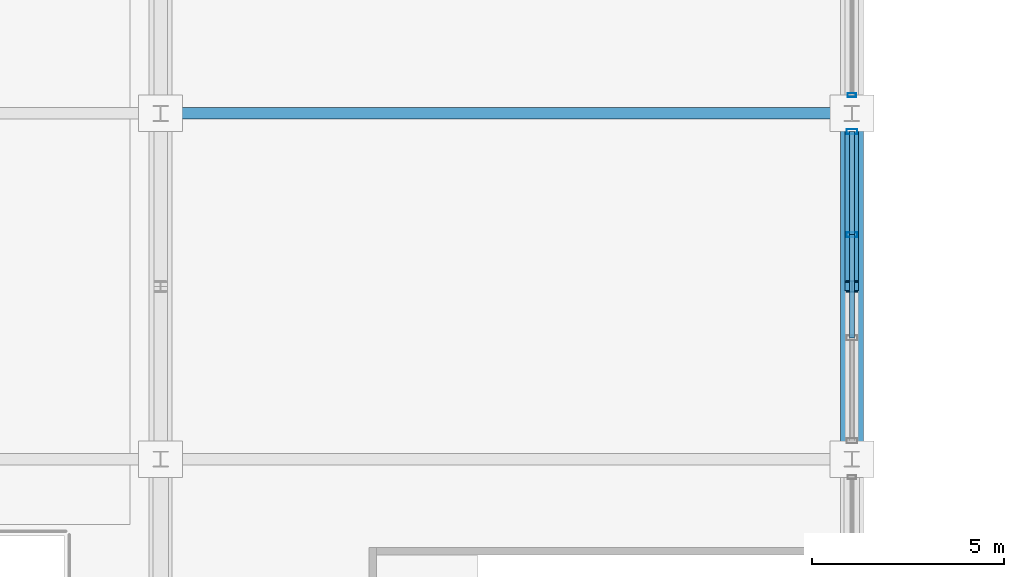
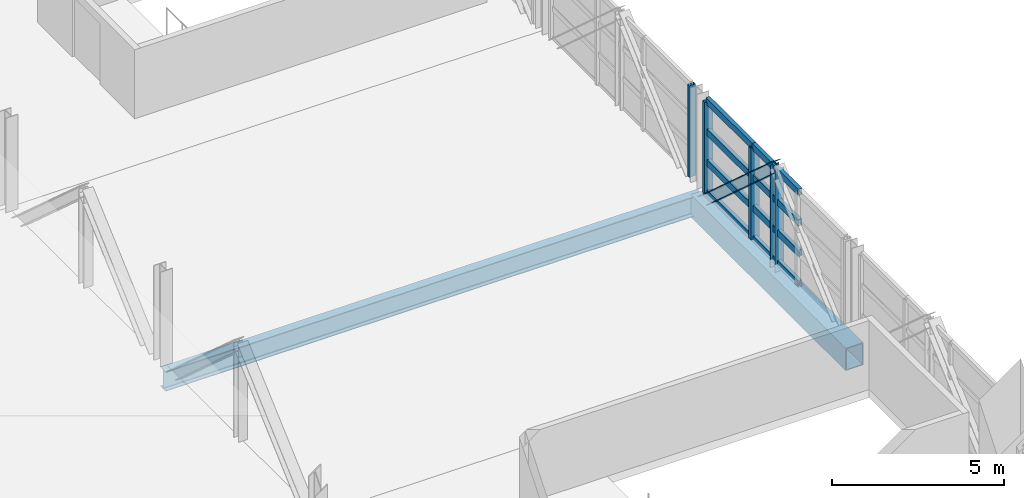
# One storey, part 44 of 136: 13 members, 2 beams, 2 elements without a shape of their own.
"""IFC4 building model written with IfcOpenShell, lengths in metres."""

from ifc_helpers import new_model, si_unit, direction, frame, origin, origin_2d, place, context, subcontext, project, spatial, hollow_rectangle, i_section, extrude, material, material_profile, profile_set, type_object, element, aggregate, save


model = new_model("IFC4")

# Units and contexts
model_context = context("Model", 3, precision=1e-05, world=origin(), true_north=direction((0.0, 1.0)))
body_context = subcontext(model_context, "Body", "Model", "MODEL_VIEW")
ifc_project = project(units=[si_unit("LENGTHUNIT", "METRE"), si_unit("AREAUNIT", "SQUARE_METRE"), si_unit("VOLUMEUNIT", "CUBIC_METRE"), si_unit("PLANEANGLEUNIT", "RADIAN"), si_unit("MASSUNIT", "GRAM", prefix="KILO")], contexts=[model_context])

# Site, building, storey
site_placement = place(None, origin())
site = spatial("IfcSite", under=ifc_project, at=site_placement, CompositionType="ELEMENT")
building_placement = place(site_placement, origin())
building = spatial("IfcBuilding", under=site, at=building_placement, Name="Chuanluo Vaults Station", CompositionType="ELEMENT")
storey_placement = place(building_placement, frame((0.0, 0.0, 6.60009765625)))
storey = spatial("IfcBuildingStorey", under=building, at=storey_placement, Name="L01", CompositionType="ELEMENT", Elevation=6.60009765625)

# Beams
ifc_material_1 = material(Name="Steel Q355C", Category="steel")
ifc_material_profile_1 = material_profile(ifc_material_1, i_section(OverallWidth=0.300048828125, OverallDepth=0.699951171875, WebThickness=0.012939453125, FlangeThickness=0.02392578125, FilletRadius=0.02197265625, at=origin_2d()))
ifc_profile_set_1 = profile_set([ifc_material_profile_1], Name="Steel Q355C")
beam_type_1 = type_object("IfcBeamType", Name="BM-GRD-700", PredefinedType="USERDEFINED", material=ifc_profile_set_1)
beam_1_placement = place(storey_placement, frame((90.0, 85.5, -0.630126953125), z_axis=(1.0, 0.0, 0.0), x_axis=(0.0, 1.0, 0.0)))
element("IfcBeam", 1, at=beam_1_placement, inside=storey, type_object=beam_type_1, Name="Over-track concourse floor girder 6-85", ObjectType="GIRDER", PredefinedType="USERDEFINED", context=body_context, shape_type="SweptSolid", body=[
    extrude(i_section(OverallWidth=0.300048828125, OverallDepth=0.699951171875, WebThickness=0.012939453125, FlangeThickness=0.02392578125, FilletRadius=0.02197265625, at=origin_2d()), origin(), (0.0, 0.0, 1.0), 18.0),
])
ifc_material_2 = material(Name="Steel Q390C", Category="steel")
ifc_material_profile_2 = material_profile(ifc_material_2, hollow_rectangle(XDim=0.60009765625, YDim=0.800048828125, WallThickness=0.031982421875, at=origin_2d()))
ifc_profile_set_2 = profile_set([ifc_material_profile_2], Name="Steel Q390C")
beam_type_2 = type_object("IfcBeamType", Name="BM-TT-BOT", PredefinedType="USERDEFINED", material=ifc_profile_set_2)
beam_2_placement = place(storey_placement, frame((108.0, 76.5, -0.68017578125), z_axis=(0.0, 1.0, 0.0), x_axis=(-1.0, 0.0, 0.0)))
element("IfcBeam", 2, at=beam_2_placement, inside=storey, type_object=beam_type_2, Name="Transfer truss TT-7 bottom chord 2", ObjectType="GIRDER", PredefinedType="USERDEFINED", context=body_context, shape_type="SweptSolid", body=[
    extrude(hollow_rectangle(XDim=0.60009765625, YDim=0.800048828125, WallThickness=0.031982421875, at=origin_2d()), origin(), (0.0, 0.0, 1.0), 9.0),
])

# Curtain wall, member
ifc_material_3 = material(Name="Anodised aluminium 6063-T6", Category="aluminium")
curtain_wall_type_1 = type_object("IfcCurtainWallType", Name="CW-SYS-28", PredefinedType="NOTDEFINED", material=ifc_material_3)
curtain_wall_1_placement = place(storey_placement, origin())
curtain_wall_1 = element("IfcCurtainWall", 3, at=curtain_wall_1_placement, inside=storey, type_object=curtain_wall_type_1, Name="Over-track east hall CW 85", PredefinedType="NOTDEFINED")
ifc_material_4 = material(Name="Anodised aluminium 6063-T6", Category="aluminium")
ifc_material_profile_3 = material_profile(ifc_material_4, hollow_rectangle(XDim=0.10498046875, YDim=0.219970703125, WallThickness=0.006103515625, at=origin_2d()))
ifc_profile_set_3 = profile_set([ifc_material_profile_3], Name="Anodised aluminium 6063-T6")
member_type_1 = type_object("IfcMemberType", Name="CWM-140", PredefinedType="MULLION", material=ifc_profile_set_3)
member_1_placement = place(storey_placement, frame((108.0, 85.97509765625, 0.0), z_axis=(0.0, 0.0, 1.0), x_axis=(0.0, -1.0, 0.0)))
member_1 = element("IfcMember", 4, at=member_1_placement, type_object=member_type_1, Name="Over-track east hall CW 85 mullion 4", PredefinedType="MULLION", context=body_context, shape_type="SweptSolid", body=[
    extrude(hollow_rectangle(XDim=0.10498046875, YDim=0.219970703125, WallThickness=0.006103515625, at=origin_2d()), origin(), (0.0, 0.0, 1.0), 3.25),
])
aggregate(curtain_wall_1, [member_1])

# Curtain wall, members
ifc_material_5 = material(Name="Anodised aluminium 6063-T6", Category="aluminium")
curtain_wall_type_2 = type_object("IfcCurtainWallType", Name="CW-SYS-26", PredefinedType="NOTDEFINED", material=ifc_material_5)
curtain_wall_2_placement = place(storey_placement, origin())
curtain_wall_2 = element("IfcCurtainWall", 5, at=curtain_wall_2_placement, inside=storey, type_object=curtain_wall_type_2, Name="Over-track east hall CW 76", PredefinedType="NOTDEFINED")
ifc_material_6 = material(Name="Anodised aluminium 6063-T6", Category="aluminium")
ifc_material_profile_4 = material_profile(ifc_material_6, hollow_rectangle(XDim=0.1298828125, YDim=0.280029296875, WallThickness=0.007080078125, at=origin_2d()))
ifc_profile_set_4 = profile_set([ifc_material_profile_4], Name="Anodised aluminium 6063-T6")
member_type_2 = type_object("IfcMemberType", Name="CWM-180", PredefinedType="MULLION", material=ifc_profile_set_4)
member_2_placement = place(storey_placement, frame((108.0, 85.02490234375, 0.0), z_axis=(0.0, 0.0, 1.0), x_axis=(0.0, -1.0, 0.0)))
member_2 = element("IfcMember", 6, at=member_2_placement, type_object=member_type_2, Name="Over-track east hall CW 76 mullion 1", PredefinedType="MULLION", context=body_context, shape_type="SweptSolid", body=[
    extrude(hollow_rectangle(XDim=0.1298828125, YDim=0.280029296875, WallThickness=0.007080078125, at=origin_2d()), origin(), (0.0, 0.0, 1.0), 3.25),
])
member_3_placement = place(storey_placement, frame((108.0, 82.341796875, 0.0), z_axis=(0.0, 0.0, 1.0), x_axis=(0.0, -1.0, 0.0)))
member_3 = element("IfcMember", 7, at=member_3_placement, type_object=member_type_2, Name="Over-track east hall CW 76 mullion 2", PredefinedType="MULLION", context=body_context, shape_type="SweptSolid", body=[
    extrude(hollow_rectangle(XDim=0.1298828125, YDim=0.280029296875, WallThickness=0.007080078125, at=origin_2d()), origin(), (0.0, 0.0, 1.0), 3.25),
])
ifc_material_7 = material(Name="Anodised aluminium 6063-T6", Category="aluminium")
ifc_material_profile_5 = material_profile(ifc_material_7, hollow_rectangle(XDim=0.1298828125, YDim=0.22998046875, WallThickness=0.006103515625, at=origin_2d()))
ifc_profile_set_5 = profile_set([ifc_material_profile_5], Name="Anodised aluminium 6063-T6")
member_type_3 = type_object("IfcMemberType", Name="CWT-150", PredefinedType="USERDEFINED", material=ifc_profile_set_5)
member_4_placement = place(storey_placement, frame((108.0, 85.02490234375, 0.0), z_axis=(0.0, -1.0, 0.0), x_axis=(1.0, 0.0, 0.0)))
member_4 = element("IfcMember", 8, at=member_4_placement, type_object=member_type_3, Name="Over-track east hall CW 76 transom 1.1", ObjectType="TRANSOM", PredefinedType="USERDEFINED", context=body_context, shape_type="SweptSolid", body=[
    extrude(hollow_rectangle(XDim=0.1298828125, YDim=0.22998046875, WallThickness=0.006103515625, at=origin_2d()), origin(), (0.0, 0.0, 1.0), 2.68310546875),
])
member_5_placement = place(storey_placement, frame((108.0, 85.02490234375, 1.083251953125), z_axis=(0.0, -1.0, 0.0), x_axis=(1.0, 0.0, 0.0)))
member_5 = element("IfcMember", 9, at=member_5_placement, type_object=member_type_3, Name="Over-track east hall CW 76 transom 1.2", ObjectType="TRANSOM", PredefinedType="USERDEFINED", context=body_context, shape_type="SweptSolid", body=[
    extrude(hollow_rectangle(XDim=0.1298828125, YDim=0.22998046875, WallThickness=0.006103515625, at=origin_2d()), origin(), (0.0, 0.0, 1.0), 2.68310546875),
])
member_6_placement = place(storey_placement, frame((108.0, 85.02490234375, 2.16650390625), z_axis=(0.0, -1.0, 0.0), x_axis=(1.0, 0.0, 0.0)))
member_6 = element("IfcMember", 10, at=member_6_placement, type_object=member_type_3, Name="Over-track east hall CW 76 transom 1.3", ObjectType="TRANSOM", PredefinedType="USERDEFINED", context=body_context, shape_type="SweptSolid", body=[
    extrude(hollow_rectangle(XDim=0.1298828125, YDim=0.22998046875, WallThickness=0.006103515625, at=origin_2d()), origin(), (0.0, 0.0, 1.0), 2.68310546875),
])
member_7_placement = place(storey_placement, frame((108.0, 85.02490234375, 3.25), z_axis=(0.0, -1.0, 0.0), x_axis=(1.0, 0.0, 0.0)))
member_7 = element("IfcMember", 11, at=member_7_placement, type_object=member_type_3, Name="Over-track east hall CW 76 transom 1.4", ObjectType="TRANSOM", PredefinedType="USERDEFINED", context=body_context, shape_type="SweptSolid", body=[
    extrude(hollow_rectangle(XDim=0.1298828125, YDim=0.22998046875, WallThickness=0.006103515625, at=origin_2d()), origin(), (0.0, 0.0, 1.0), 2.68310546875),
])
member_8_placement = place(storey_placement, frame((108.0, 82.341796875, 0.0), z_axis=(0.0, -1.0, 0.0), x_axis=(1.0, 0.0, 0.0)))
member_8 = element("IfcMember", 12, at=member_8_placement, type_object=member_type_3, Name="Over-track east hall CW 76 transom 2.1", ObjectType="TRANSOM", PredefinedType="USERDEFINED", context=body_context, shape_type="SweptSolid", body=[
    extrude(hollow_rectangle(XDim=0.1298828125, YDim=0.22998046875, WallThickness=0.006103515625, at=origin_2d()), origin(), (0.0, 0.0, 1.0), 2.68359375),
])
member_9_placement = place(storey_placement, frame((108.0, 82.341796875, 1.083251953125), z_axis=(0.0, -1.0, 0.0), x_axis=(1.0, 0.0, 0.0)))
member_9 = element("IfcMember", 13, at=member_9_placement, type_object=member_type_3, Name="Over-track east hall CW 76 transom 2.2", ObjectType="TRANSOM", PredefinedType="USERDEFINED", context=body_context, shape_type="SweptSolid", body=[
    extrude(hollow_rectangle(XDim=0.1298828125, YDim=0.22998046875, WallThickness=0.006103515625, at=origin_2d()), origin(), (0.0, 0.0, 1.0), 2.68359375),
])
member_10_placement = place(storey_placement, frame((108.0, 82.341796875, 2.16650390625), z_axis=(0.0, -1.0, 0.0), x_axis=(1.0, 0.0, 0.0)))
member_10 = element("IfcMember", 14, at=member_10_placement, type_object=member_type_3, Name="Over-track east hall CW 76 transom 2.3", ObjectType="TRANSOM", PredefinedType="USERDEFINED", context=body_context, shape_type="SweptSolid", body=[
    extrude(hollow_rectangle(XDim=0.1298828125, YDim=0.22998046875, WallThickness=0.006103515625, at=origin_2d()), origin(), (0.0, 0.0, 1.0), 2.68359375),
])
member_11_placement = place(storey_placement, frame((108.0, 82.341796875, 3.25), z_axis=(0.0, -1.0, 0.0), x_axis=(1.0, 0.0, 0.0)))
member_11 = element("IfcMember", 15, at=member_11_placement, type_object=member_type_3, Name="Over-track east hall CW 76 transom 2.4", ObjectType="TRANSOM", PredefinedType="USERDEFINED", context=body_context, shape_type="SweptSolid", body=[
    extrude(hollow_rectangle(XDim=0.1298828125, YDim=0.22998046875, WallThickness=0.006103515625, at=origin_2d()), origin(), (0.0, 0.0, 1.0), 2.68359375),
])
aggregate(curtain_wall_2, [member_2, member_3, member_4, member_5, member_6, member_7, member_8, member_9, member_10, member_11])

# Members
ifc_material_8 = material(Name="Steel Q390C", Category="steel")
ifc_material_profile_6 = material_profile(ifc_material_8, i_section(OverallWidth=0.35009765625, OverallDepth=0.35009765625, WebThickness=0.011962890625, FlangeThickness=0.01904296875, FilletRadius=0.02001953125, at=origin_2d()))
ifc_profile_set_6 = profile_set([ifc_material_profile_6], Name="Steel Q390C")
member_type_4 = type_object("IfcMemberType", Name="MEM-DIAG-350", PredefinedType="BRACE", material=ifc_profile_set_6)
member_12_placement = place(storey_placement, frame((108.0, 81.0, 3.349853515625), z_axis=(0.0, 0.744935757439, -0.667136205949), x_axis=(-1.0, 0.0, 0.0)))
element("IfcMember", 16, at=member_12_placement, inside=storey, type_object=member_type_4, Name="Transfer truss TT-7 diagonal 2B", PredefinedType="BRACE", context=body_context, shape_type="SweptSolid", body=[
    extrude(i_section(OverallWidth=0.35009765625, OverallDepth=0.35009765625, WebThickness=0.011962890625, FlangeThickness=0.01904296875, FilletRadius=0.02001953125, at=origin_2d()), origin(), (0.0, 0.0, 1.0), 6.040771484375),
])
ifc_material_9 = material(Name="Steel Q390C", Category="steel")
ifc_material_profile_7 = material_profile(ifc_material_9, i_section(OverallWidth=0.300048828125, OverallDepth=0.300048828125, WebThickness=0.010009765625, FlangeThickness=0.014892578125, FilletRadius=0.01806640625, at=origin_2d()))
ifc_profile_set_7 = profile_set([ifc_material_profile_7], Name="Steel Q390C")
member_type_5 = type_object("IfcMemberType", Name="MEM-VERT-300", PredefinedType="POST", material=ifc_profile_set_7)
member_13_placement = place(storey_placement, frame((108.0, 81.0, -0.68017578125), z_axis=(0.0, 0.0, 1.0), x_axis=(1.0, 0.0, 0.0)))
element("IfcMember", 17, at=member_13_placement, inside=storey, type_object=member_type_5, Name="Transfer truss TT-7 mid-panel hanger 2", PredefinedType="POST", context=body_context, shape_type="SweptSolid", body=[
    extrude(i_section(OverallWidth=0.300048828125, OverallDepth=0.300048828125, WebThickness=0.010009765625, FlangeThickness=0.014892578125, FilletRadius=0.01806640625, at=origin_2d()), origin(), (0.0, 0.0, 1.0), 4.030029296875),
])

save(model, "model.ifc")
